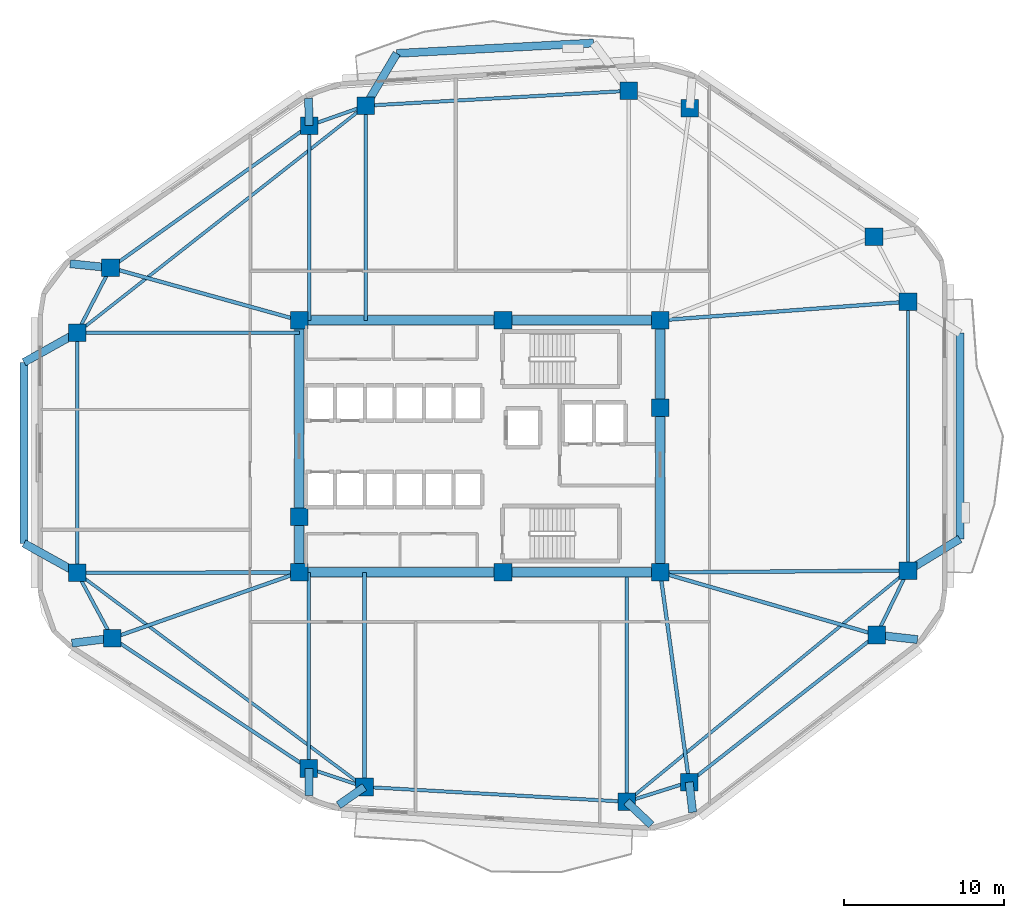
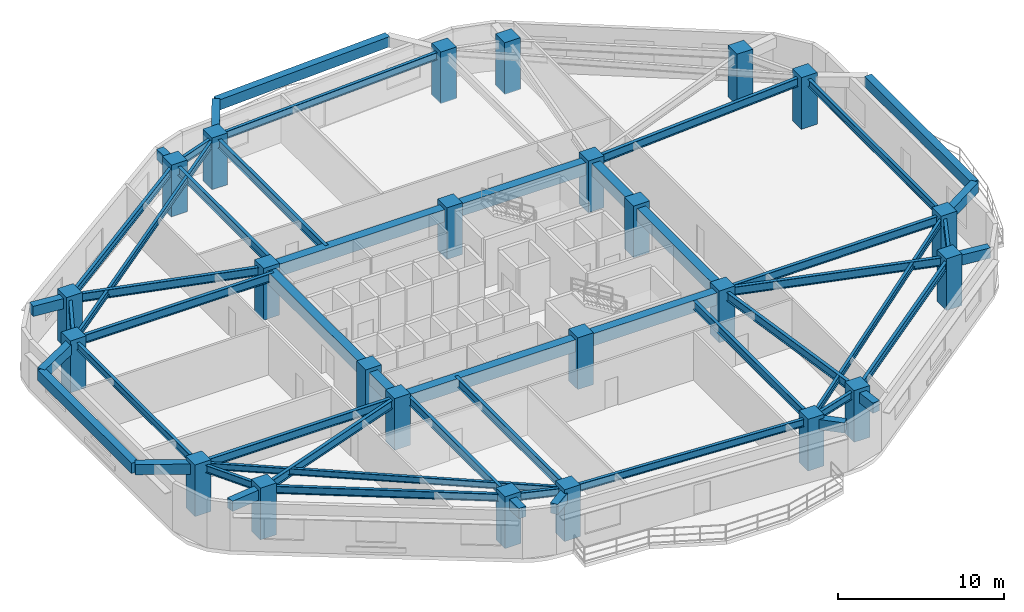
# One storey, part 1 of 8: 52 beams, 24 columns.
"""IFC4 building model written with IfcOpenShell, lengths in metres."""

from ifc_helpers import new_model, si_unit, direction, frame, origin, origin_2d, place, context, subcontext, project, spatial, rectangle, i_section, extrude, material, material_profile, profile_set, type_object, element, save


model = new_model("IFC4")

# Units and contexts
model_context = context("Model", 3, precision=1e-05, world=origin(), true_north=direction((0.0, 1.0)))
body_context = subcontext(model_context, "Body", "Model", "MODEL_VIEW")
ifc_project = project(units=[si_unit("LENGTHUNIT", "METRE"), si_unit("AREAUNIT", "SQUARE_METRE"), si_unit("VOLUMEUNIT", "CUBIC_METRE"), si_unit("PLANEANGLEUNIT", "RADIAN"), si_unit("MASSUNIT", "GRAM", prefix="KILO")], contexts=[model_context])

# Site, building, storey
site_placement = place(None, origin())
site = spatial("IfcSite", under=ifc_project, at=site_placement, CompositionType="ELEMENT")
building_placement = place(site_placement, origin())
building = spatial("IfcBuilding", under=site, at=building_placement, Name="Zulverin Broadcast Headquarters", CompositionType="ELEMENT")
storey_placement = place(building_placement, frame((0.0, 0.0, 89.60009765625)))
storey = spatial("IfcBuildingStorey", under=building, at=storey_placement, Name="L22", CompositionType="ELEMENT", Elevation=89.60009765625)

# Columns
ifc_material_1 = material(Name="Concrete C60/75", Category="concrete")
ifc_material_profile_1 = material_profile(ifc_material_1, rectangle(XDim=1.10009765625, YDim=1.10009765625, at=origin_2d()), Name="Concrete C60/75", Category="concrete")
ifc_profile_set_1 = profile_set([ifc_material_profile_1], Name="Concrete C60/75")
column_type_1 = type_object("IfcColumnType", Name="COL-RC-1100", PredefinedType="COLUMN", material=ifc_profile_set_1)
for number, where, z_axis, x_axis, name in (
    (1, (29.79638671875, 3.922119140625, 0.0), (0.0, 0.0, 1.0), (1.0, 0.0, 0.0), "L22 Perimeter Column T01"),
    (2, (46.175048828125, 2.997802734375, 0.0), (0.0, 0.0, 1.0), (1.0, 0.0, 0.0), "L22 Perimeter Column T02"),
    (3, (50.08056640625, 4.22509765625, 0.0), (0.0, 0.0, 1.0), (1.0, 0.0, 0.0), "L22 Perimeter Column T03"),
    (4, (61.79296875, 13.416259765625, 0.0), (0.0, 0.0, 1.0), (1.0, 0.0, 0.0), "L22 Perimeter Column T04"),
    (5, (63.75, 17.439697265625, 0.0), (0.0, 0.0, 1.0), (1.0, 0.0, 0.0), "L22 Perimeter Column T05"),
    (6, (63.75, 34.235107421875, 0.0), (0.0, 0.0, 1.0), (1.0, 0.0, 0.0), "L22 Perimeter Column T06"),
    (7, (61.630126953125, 38.298583984375, 0.0), (0.0, 0.0, 1.0), (1.0, 0.0, 0.0), "L22 Perimeter Column T07"),
    (8, (50.121826171875, 46.325927734375, 0.0), (0.0, 0.0, 1.0), (1.0, 0.0, 0.0), "L22 Perimeter Column T08"),
    (9, (46.30224609375, 47.4091796875, 0.0), (0.0, 0.0, 1.0), (1.0, 0.0, 0.0), "L22 Perimeter Column T09"),
    (10, (29.873779296875, 46.482177734375, 0.0), (0.0, 0.0, 1.0), (1.0, 0.0, 0.0), "L22 Perimeter Column T10"),
    (11, (26.344482421875, 45.23828125, 0.0), (0.0, 0.0, 1.0), (1.0, 0.0, 0.0), "L22 Perimeter Column T11"),
    (12, (13.934326171875, 36.353759765625, 0.0), (0.0, 0.0, 1.0), (1.0, 0.0, 0.0), "L22 Perimeter Column T12"),
    (13, (11.85009765625, 32.298095703125, 0.0), (0.0, 0.0, 1.0), (1.0, 0.0, 0.0), "L22 Perimeter Column T13"),
    (14, (11.85009765625, 17.297607421875, 0.0), (0.0, 0.0, 1.0), (1.0, 0.0, 0.0), "L22 Perimeter Column T14"),
    (15, (14.0390625, 13.219970703125, 0.0), (0.0, 0.0, 1.0), (1.0, 0.0, 0.0), "L22 Perimeter Column T15"),
    (16, (26.3251953125, 5.075927734375, 0.0), (0.0, 0.0, 1.0), (1.0, 0.0, 0.0), "L22 Perimeter Column T16"),
):
    element("IfcColumn", number, at=place(storey_placement, frame(where, z_axis=z_axis, x_axis=x_axis)), inside=storey, type_object=column_type_1, Name=name, PredefinedType="COLUMN", context=body_context, shape_type="SweptSolid", body=[
        extrude(rectangle(XDim=1.10009765625, YDim=1.10009765625, at=origin_2d()), origin(), (0.0, 0.0, 1.0), 3.7998046875),
    ])
ifc_material_profile_2 = material_profile(ifc_material_1, rectangle(XDim=1.10009765625, YDim=1.10009765625, at=origin_2d()), Name="Concrete C60/75", Category="concrete")
ifc_profile_set_2 = profile_set([ifc_material_profile_2], Name="Concrete C60/75")
column_type_2 = type_object("IfcColumnType", Name="PIL-RC-1100", PredefinedType="PILASTER", material=ifc_profile_set_2)
for number, where, z_axis, x_axis, name in (
    (17, (25.72509765625, 17.324951171875, 0.0), (0.0, 0.0, 1.0), (1.0, 0.0, 0.0), "L22 Core Pilaster K01"),
    (18, (38.449951171875, 17.324951171875, 0.0), (0.0, 0.0, 1.0), (1.0, 0.0, 0.0), "L22 Core Pilaster K02"),
    (19, (48.27490234375, 17.324951171875, 0.0), (0.0, 0.0, 1.0), (1.0, 0.0, 0.0), "L22 Core Pilaster K03"),
    (20, (48.27490234375, 27.6201171875, 0.0), (0.0, 0.0, 1.0), (1.0, 0.0, 0.0), "L22 Core Pilaster K04"),
    (21, (48.27490234375, 33.074951171875, 0.0), (0.0, 0.0, 1.0), (1.0, 0.0, 0.0), "L22 Core Pilaster K05"),
    (22, (38.449951171875, 33.074951171875, 0.0), (0.0, 0.0, 1.0), (1.0, 0.0, 0.0), "L22 Core Pilaster K06"),
    (23, (25.72509765625, 33.074951171875, 0.0), (0.0, 0.0, 1.0), (1.0, 0.0, 0.0), "L22 Core Pilaster K07"),
    (24, (25.72509765625, 20.800048828125, 0.0), (0.0, 0.0, 1.0), (1.0, 0.0, 0.0), "L22 Core Pilaster K08"),
):
    element("IfcColumn", number, at=place(storey_placement, frame(where, z_axis=z_axis, x_axis=x_axis)), inside=storey, type_object=column_type_2, Name=name, PredefinedType="PILASTER", context=body_context, shape_type="SweptSolid", body=[
        extrude(rectangle(XDim=1.10009765625, YDim=1.10009765625, at=origin_2d()), origin(), (0.0, 0.0, 1.0), 3.7998046875),
    ])

# Beams
ifc_material_profile_3 = material_profile(ifc_material_1, rectangle(XDim=0.60009765625, YDim=0.89990234375, at=origin_2d()), Name="Concrete C60/75", Category="concrete")
ifc_profile_set_3 = profile_set([ifc_material_profile_3], Name="Concrete C60/75")
beam_type_1 = type_object("IfcBeamType", Name="BM-CB-600x900", PredefinedType="LINTEL", material=ifc_profile_set_3)
beam_1_placement = place(storey_placement, frame((25.72509765625, 17.324951171875, 3.074951171875), z_axis=(1.0, 0.0, 0.0), x_axis=(0.0, 1.0, 0.0)))
element("IfcBeam", 25, at=beam_1_placement, inside=storey, type_object=beam_type_1, Name="L22 Core Coupling Girder K01-K02", PredefinedType="LINTEL", context=body_context, shape_type="SweptSolid", body=[
    extrude(rectangle(XDim=0.60009765625, YDim=0.89990234375, at=origin_2d()), origin(), (0.0, 0.0, 1.0), 12.724853515625),
])
beam_2_placement = place(storey_placement, frame((38.449951171875, 17.324951171875, 3.074951171875), z_axis=(1.0, 0.0, 0.0), x_axis=(0.0, 1.0, 0.0)))
element("IfcBeam", 26, at=beam_2_placement, inside=storey, type_object=beam_type_1, Name="L22 Core Coupling Girder K02-K03", PredefinedType="LINTEL", context=body_context, shape_type="SweptSolid", body=[
    extrude(rectangle(XDim=0.60009765625, YDim=0.89990234375, at=origin_2d()), origin(), (0.0, 0.0, 1.0), 9.824951171875),
])
beam_3_placement = place(storey_placement, frame((48.27490234375, 17.324951171875, 3.074951171875), z_axis=(0.0, 1.0, 0.0), x_axis=(-1.0, 0.0, 0.0)))
element("IfcBeam", 27, at=beam_3_placement, inside=storey, type_object=beam_type_1, Name="L22 Core Coupling Girder K03-K04", PredefinedType="LINTEL", context=body_context, shape_type="SweptSolid", body=[
    extrude(rectangle(XDim=0.60009765625, YDim=0.89990234375, at=origin_2d()), origin(), (0.0, 0.0, 1.0), 10.295166015625),
])
beam_4_placement = place(storey_placement, frame((48.27490234375, 27.6201171875, 3.074951171875), z_axis=(0.0, 1.0, 0.0), x_axis=(-1.0, 0.0, 0.0)))
element("IfcBeam", 28, at=beam_4_placement, inside=storey, type_object=beam_type_1, Name="L22 Core Coupling Girder K04-K05", PredefinedType="LINTEL", context=body_context, shape_type="SweptSolid", body=[
    extrude(rectangle(XDim=0.60009765625, YDim=0.89990234375, at=origin_2d()), origin(), (0.0, 0.0, 1.0), 5.454833984375),
])
beam_5_placement = place(storey_placement, frame((48.27490234375, 33.074951171875, 3.074951171875), z_axis=(-1.0, 0.0, 0.0), x_axis=(0.0, -1.0, 0.0)))
element("IfcBeam", 29, at=beam_5_placement, inside=storey, type_object=beam_type_1, Name="L22 Core Coupling Girder K05-K06", PredefinedType="LINTEL", context=body_context, shape_type="SweptSolid", body=[
    extrude(rectangle(XDim=0.60009765625, YDim=0.89990234375, at=origin_2d()), origin(), (0.0, 0.0, 1.0), 9.824951171875),
])
beam_6_placement = place(storey_placement, frame((38.449951171875, 33.074951171875, 3.074951171875), z_axis=(-1.0, 0.0, 0.0), x_axis=(0.0, -1.0, 0.0)))
element("IfcBeam", 30, at=beam_6_placement, inside=storey, type_object=beam_type_1, Name="L22 Core Coupling Girder K06-K07", PredefinedType="LINTEL", context=body_context, shape_type="SweptSolid", body=[
    extrude(rectangle(XDim=0.60009765625, YDim=0.89990234375, at=origin_2d()), origin(), (0.0, 0.0, 1.0), 12.724853515625),
])
beam_7_placement = place(storey_placement, frame((25.72509765625, 33.074951171875, 3.074951171875), z_axis=(0.0, -1.0, 0.0), x_axis=(1.0, 0.0, 0.0)))
element("IfcBeam", 31, at=beam_7_placement, inside=storey, type_object=beam_type_1, Name="L22 Core Coupling Girder K07-K08", PredefinedType="LINTEL", context=body_context, shape_type="SweptSolid", body=[
    extrude(rectangle(XDim=0.60009765625, YDim=0.89990234375, at=origin_2d()), origin(), (0.0, 0.0, 1.0), 12.27490234375),
])
beam_8_placement = place(storey_placement, frame((25.72509765625, 20.800048828125, 3.074951171875), z_axis=(0.0, -1.0, 0.0), x_axis=(1.0, 0.0, 0.0)))
element("IfcBeam", 32, at=beam_8_placement, inside=storey, type_object=beam_type_1, Name="L22 Core Coupling Girder K08-K01", PredefinedType="LINTEL", context=body_context, shape_type="SweptSolid", body=[
    extrude(rectangle(XDim=0.60009765625, YDim=0.89990234375, at=origin_2d()), origin(), (0.0, 0.0, 1.0), 3.47509765625),
])
ifc_material_2 = material(Name="Concrete C40/50", Category="concrete")
ifc_material_profile_4 = material_profile(ifc_material_2, rectangle(XDim=0.5, YDim=0.75, at=origin_2d()), Name="Concrete C40/50", Category="concrete")
ifc_profile_set_4 = profile_set([ifc_material_profile_4], Name="Concrete C40/50")
beam_type_2 = type_object("IfcBeamType", Name="BM-RC-500x750", PredefinedType="BEAM", material=ifc_profile_set_4)
beam_9_placement = place(storey_placement, frame((29.79638671875, 3.922119140625, 3.14990234375), z_axis=(-0.817789251944, -0.575517801119, 0.0), x_axis=(0.575517801119, -0.817789251944, 0.0)))
element("IfcBeam", 33, at=beam_9_placement, inside=storey, type_object=beam_type_2, Name="L23 Plate Overhang Back-Spanned Beam OVR-01", PredefinedType="BEAM", context=body_context, shape_type="SweptSolid", body=[
    extrude(rectangle(XDim=0.5, YDim=0.75, at=origin_2d()), origin(), (0.0, 0.0, 1.0), 1.983154296875),
])
beam_10_placement = place(storey_placement, frame((46.175048828125, 2.997802734375, 3.14990234375), z_axis=(0.727711332613, -0.685883529754, 0.0), x_axis=(0.685883529754, 0.727711332613, 0.0)))
element("IfcBeam", 34, at=beam_10_placement, inside=storey, type_object=beam_type_2, Name="L23 Plate Overhang Back-Spanned Beam OVR-02", PredefinedType="BEAM", context=body_context, shape_type="SweptSolid", body=[
    extrude(rectangle(XDim=0.5, YDim=0.75, at=origin_2d()), origin(), (0.0, 0.0, 1.0), 2.113037109375),
])
beam_11_placement = place(storey_placement, frame((50.08056640625, 4.22509765625, 3.14990234375), z_axis=(0.115916621896, -0.99325894749, 0.0), x_axis=(0.99325894749, 0.115916621896, 0.0)))
element("IfcBeam", 35, at=beam_11_placement, inside=storey, type_object=beam_type_2, Name="L23 Plate Overhang Back-Spanned Beam OVR-03", PredefinedType="BEAM", context=body_context, shape_type="SweptSolid", body=[
    extrude(rectangle(XDim=0.5, YDim=0.75, at=origin_2d()), origin(), (0.0, 0.0, 1.0), 1.899658203125),
])
beam_12_placement = place(storey_placement, frame((61.79296875, 13.416259765625, 3.14990234375), z_axis=(0.993797661948, -0.111203449166, 0.0), x_axis=(0.111203449166, 0.993797661948, 0.0)))
element("IfcBeam", 36, at=beam_12_placement, inside=storey, type_object=beam_type_2, Name="L23 Plate Overhang Back-Spanned Beam OVR-04", PredefinedType="BEAM", context=body_context, shape_type="SweptSolid", body=[
    extrude(rectangle(XDim=0.5, YDim=0.75, at=origin_2d()), origin(), (0.0, 0.0, 1.0), 2.568603515625),
])
beam_13_placement = place(storey_placement, frame((26.344482421875, 45.23828125, 3.14990234375), z_axis=(-0.025024345209, 0.999686842039, 0.0), x_axis=(-0.999686842039, -0.025024345209, 0.0)))
element("IfcBeam", 37, at=beam_13_placement, inside=storey, type_object=beam_type_2, Name="L23 Plate Overhang Back-Spanned Beam OVR-11", PredefinedType="BEAM", context=body_context, shape_type="SweptSolid", body=[
    extrude(rectangle(XDim=0.5, YDim=0.75, at=origin_2d()), origin(), (0.0, 0.0, 1.0), 1.707275390625),
])
beam_14_placement = place(storey_placement, frame((13.934326171875, 36.353759765625, 3.14990234375), z_axis=(-0.995008621602, 0.09978899207, 0.0), x_axis=(-0.09978899207, -0.995008621602, 0.0)))
element("IfcBeam", 38, at=beam_14_placement, inside=storey, type_object=beam_type_2, Name="L23 Plate Overhang Back-Spanned Beam OVR-12", PredefinedType="BEAM", context=body_context, shape_type="SweptSolid", body=[
    extrude(rectangle(XDim=0.5, YDim=0.75, at=origin_2d()), origin(), (0.0, 0.0, 1.0), 2.5419921875),
])
beam_15_placement = place(storey_placement, frame((14.0390625, 13.219970703125, 3.14990234375), z_axis=(-0.992258640565, -0.124188526941, 0.0), x_axis=(0.124188526941, -0.992258640565, 0.0)))
element("IfcBeam", 39, at=beam_15_placement, inside=storey, type_object=beam_type_2, Name="L23 Plate Overhang Back-Spanned Beam OVR-15", PredefinedType="BEAM", context=body_context, shape_type="SweptSolid", body=[
    extrude(rectangle(XDim=0.5, YDim=0.75, at=origin_2d()), origin(), (0.0, 0.0, 1.0), 2.5400390625),
])
beam_16_placement = place(storey_placement, frame((26.3251953125, 5.075927734375, 3.14990234375), z_axis=(0.006204786761, -0.999980750125, 0.0), x_axis=(0.999980750125, 0.006204786761, 0.0)))
element("IfcBeam", 40, at=beam_16_placement, inside=storey, type_object=beam_type_2, Name="L23 Plate Overhang Back-Spanned Beam OVR-16", PredefinedType="BEAM", context=body_context, shape_type="SweptSolid", body=[
    extrude(rectangle(XDim=0.5, YDim=0.75, at=origin_2d()), origin(), (0.0, 0.0, 1.0), 1.69189453125),
])
beam_17_placement = place(storey_placement, frame((63.75, 17.439697265625, 3.14990234375), z_axis=(0.853769010652, 0.520651972483, 0.0), x_axis=(-0.520651972483, 0.853769010652, 0.0)))
element("IfcBeam", 41, at=beam_17_placement, inside=storey, type_object=beam_type_2, Name="L23 Balcony Column-Framed Cantilever BAL_E-1", PredefinedType="BEAM", context=body_context, shape_type="SweptSolid", body=[
    extrude(rectangle(XDim=0.5, YDim=0.75, at=origin_2d()), origin(), (0.0, 0.0, 1.0), 3.800048828125),
])
beam_18_placement = place(storey_placement, frame((66.994384765625, 19.418212890625, 3.14990234375), z_axis=(0.000531985561, 0.999999858496, 0.0), x_axis=(-0.999999858496, 0.000531985561, 0.0)))
element("IfcBeam", 42, at=beam_18_placement, inside=storey, type_object=beam_type_2, Name="L23 Balcony Outer Edge Trimmer Beam BAL_E", PredefinedType="BEAM", context=body_context, shape_type="SweptSolid", body=[
    extrude(rectangle(XDim=0.5, YDim=0.75, at=origin_2d()), origin(), (0.0, 0.0, 1.0), 12.849853515625),
])
beam_19_placement = place(storey_placement, frame((29.873779296875, 46.482177734375, 3.14990234375), z_axis=(0.511024077234, 0.859566397952, 0.0), x_axis=(-0.859566397952, 0.511024077234, 0.0)))
element("IfcBeam", 43, at=beam_19_placement, inside=storey, type_object=beam_type_2, Name="L23 Balcony Column-Framed Cantilever BAL_N-2", PredefinedType="BEAM", context=body_context, shape_type="SweptSolid", body=[
    extrude(rectangle(XDim=0.5, YDim=0.75, at=origin_2d()), origin(), (0.0, 0.0, 1.0), 3.800048828125),
])
beam_20_placement = place(storey_placement, frame((44.101806640625, 50.397216796875, 3.14990234375), z_axis=(-0.998609099768, -0.052724433234, 0.0), x_axis=(0.052724433234, -0.998609099768, 0.0)))
element("IfcBeam", 44, at=beam_20_placement, inside=storey, type_object=beam_type_2, Name="L23 Balcony Outer Edge Trimmer Beam BAL_N", PredefinedType="BEAM", context=body_context, shape_type="SweptSolid", body=[
    extrude(rectangle(XDim=0.5, YDim=0.75, at=origin_2d()), origin(), (0.0, 0.0, 1.0), 12.30322265625),
])
beam_21_placement = place(storey_placement, frame((11.85009765625, 32.298095703125, 3.14990234375), z_axis=(-0.873763019306, -0.486351915893, 0.0), x_axis=(0.486351915893, -0.873763019306, 0.0)))
element("IfcBeam", 45, at=beam_21_placement, inside=storey, type_object=beam_type_2, Name="L23 Balcony Column-Framed Cantilever BAL_W-1", PredefinedType="BEAM", context=body_context, shape_type="SweptSolid", body=[
    extrude(rectangle(XDim=0.5, YDim=0.75, at=origin_2d()), origin(), (0.0, 0.0, 1.0), 3.800048828125),
])
beam_22_placement = place(storey_placement, frame((11.85009765625, 17.297607421875, 3.14990234375), z_axis=(-0.874363278793, 0.485271940975, 0.0), x_axis=(-0.485271940975, -0.874363278793, 0.0)))
element("IfcBeam", 46, at=beam_22_placement, inside=storey, type_object=beam_type_2, Name="L23 Balcony Column-Framed Cantilever BAL_W-2", PredefinedType="BEAM", context=body_context, shape_type="SweptSolid", body=[
    extrude(rectangle(XDim=0.5, YDim=0.75, at=origin_2d()), origin(), (0.0, 0.0, 1.0), 3.7998046875),
])
beam_23_placement = place(storey_placement, frame((8.52978515625, 30.449951171875, 3.14990234375), z_axis=(-0.000194304709, -0.999999981123, 0.0), x_axis=(0.999999981123, -0.000194304709, 0.0)))
element("IfcBeam", 47, at=beam_23_placement, inside=storey, type_object=beam_type_2, Name="L23 Balcony Outer Edge Trimmer Beam BAL_W", PredefinedType="BEAM", context=body_context, shape_type="SweptSolid", body=[
    extrude(rectangle(XDim=0.5, YDim=0.75, at=origin_2d()), origin(), (0.0, 0.0, 1.0), 11.308349609375),
])
ifc_material_3 = material(Name="Structural steel S355JR", Category="steel")
ifc_material_profile_5 = material_profile(ifc_material_3, i_section(OverallWidth=0.19287109375, OverallDepth=0.46728515625, WebThickness=0.011474609375, FlangeThickness=0.01953125, at=origin_2d()), Name="Structural steel S355JR", Category="steel")
ifc_profile_set_5 = profile_set([ifc_material_profile_5], Name="Structural steel S355JR")
beam_type_3 = type_object("IfcBeamType", Name="BM-UB-457", PredefinedType="JOIST", material=ifc_profile_set_5)
beam_24_placement = place(storey_placement, frame((46.175048828125, 2.997802734375, 3.291259765625), z_axis=(0.772611370623, 0.634879256224, 0.0), x_axis=(-0.634879256224, 0.772611370623, 0.0)))
element("IfcBeam", 48, at=beam_24_placement, inside=storey, type_object=beam_type_3, Name="L22 Chordal Floor Joist J-01", PredefinedType="JOIST", context=body_context, shape_type="SweptSolid", body=[
    extrude(i_section(OverallWidth=0.19287109375, OverallDepth=0.46728515625, WebThickness=0.011474609375, FlangeThickness=0.01953125, at=origin_2d()), origin(), (0.0, 0.0, 1.0), 22.74755859375),
])
beam_25_placement = place(storey_placement, frame((29.873779296875, 46.482177734375, 3.291259765625), z_axis=(-0.78583902739, -0.618431098047, 0.0), x_axis=(0.618431098047, -0.78583902739, 0.0)))
element("IfcBeam", 49, at=beam_25_placement, inside=storey, type_object=beam_type_3, Name="L22 Chordal Floor Joist J-03", PredefinedType="JOIST", context=body_context, shape_type="SweptSolid", body=[
    extrude(i_section(OverallWidth=0.19287109375, OverallDepth=0.46728515625, WebThickness=0.011474609375, FlangeThickness=0.01953125, at=origin_2d()), origin(), (0.0, 0.0, 1.0), 22.935546875),
])
beam_26_placement = place(storey_placement, frame((11.85009765625, 17.297607421875, 3.291259765625), z_axis=(0.801802688634, -0.59758886243, 0.0), x_axis=(0.59758886243, 0.801802688634, 0.0)))
element("IfcBeam", 50, at=beam_26_placement, inside=storey, type_object=beam_type_3, Name="L22 Chordal Floor Joist J-04", PredefinedType="JOIST", context=body_context, shape_type="SweptSolid", body=[
    extrude(i_section(OverallWidth=0.19287109375, OverallDepth=0.46728515625, WebThickness=0.011474609375, FlangeThickness=0.01953125, at=origin_2d()), origin(), (0.0, 0.0, 1.0), 22.38232421875),
])
ifc_material_profile_6 = material_profile(ifc_material_3, i_section(OverallWidth=0.2119140625, OverallDepth=0.54443359375, WebThickness=0.0126953125, FlangeThickness=0.021240234375, at=origin_2d()), Name="Structural steel S355JR", Category="steel")
ifc_profile_set_6 = profile_set([ifc_material_profile_6], Name="Structural steel S355JR")
beam_type_4 = type_object("IfcBeamType", Name="BM-UB-533", PredefinedType="SPANDREL", material=ifc_profile_set_6)
beam_27_placement = place(storey_placement, frame((29.79638671875, 3.922119140625, 3.252685546875), z_axis=(0.998411385104, -0.056344530297, 0.0), x_axis=(0.056344530297, 0.998411385104, 0.0)))
element("IfcBeam", 51, at=beam_27_placement, inside=storey, type_object=beam_type_4, Name="L22 Perimeter Spandrel Beam SP-01", PredefinedType="SPANDREL", context=body_context, shape_type="SweptSolid", body=[
    extrude(i_section(OverallWidth=0.2119140625, OverallDepth=0.54443359375, WebThickness=0.0126953125, FlangeThickness=0.021240234375, at=origin_2d()), origin(), (0.0, 0.0, 1.0), 16.40478515625),
])
beam_28_placement = place(storey_placement, frame((46.175048828125, 2.997802734375, 3.252685546875), z_axis=(0.954004438448, 0.299792480595, 0.0), x_axis=(-0.299792480595, 0.954004438448, 0.0)))
element("IfcBeam", 52, at=beam_28_placement, inside=storey, type_object=beam_type_4, Name="L22 Perimeter Spandrel Beam SP-02", PredefinedType="SPANDREL", context=body_context, shape_type="SweptSolid", body=[
    extrude(i_section(OverallWidth=0.2119140625, OverallDepth=0.54443359375, WebThickness=0.0126953125, FlangeThickness=0.021240234375, at=origin_2d()), origin(), (0.0, 0.0, 1.0), 4.09375),
])
beam_29_placement = place(storey_placement, frame((50.08056640625, 4.22509765625, 3.252685546875), z_axis=(0.786691476208, 0.617346354376, 0.0), x_axis=(-0.617346354376, 0.786691476208, 0.0)))
element("IfcBeam", 53, at=beam_29_placement, inside=storey, type_object=beam_type_4, Name="L22 Perimeter Spandrel Beam SP-03", PredefinedType="SPANDREL", context=body_context, shape_type="SweptSolid", body=[
    extrude(i_section(OverallWidth=0.2119140625, OverallDepth=0.54443359375, WebThickness=0.0126953125, FlangeThickness=0.021240234375, at=origin_2d()), origin(), (0.0, 0.0, 1.0), 14.88818359375),
])
beam_30_placement = place(storey_placement, frame((61.79296875, 13.416259765625, 3.252685546875), z_axis=(0.437408475872, 0.899262934428, 0.0), x_axis=(-0.899262934428, 0.437408475872, 0.0)))
element("IfcBeam", 54, at=beam_30_placement, inside=storey, type_object=beam_type_4, Name="L22 Perimeter Spandrel Beam SP-04", PredefinedType="SPANDREL", context=body_context, shape_type="SweptSolid", body=[
    extrude(i_section(OverallWidth=0.2119140625, OverallDepth=0.54443359375, WebThickness=0.0126953125, FlangeThickness=0.021240234375, at=origin_2d()), origin(), (0.0, 0.0, 1.0), 4.47412109375),
])
beam_31_placement = place(storey_placement, frame((63.75, 17.439697265625, 3.252685546875), z_axis=(0.0, 1.0, 0.0), x_axis=(-1.0, 0.0, 0.0)))
element("IfcBeam", 55, at=beam_31_placement, inside=storey, type_object=beam_type_4, Name="L22 Perimeter Spandrel Beam SP-05", PredefinedType="SPANDREL", context=body_context, shape_type="SweptSolid", body=[
    extrude(i_section(OverallWidth=0.2119140625, OverallDepth=0.54443359375, WebThickness=0.0126953125, FlangeThickness=0.021240234375, at=origin_2d()), origin(), (0.0, 0.0, 1.0), 16.79541015625),
])
beam_32_placement = place(storey_placement, frame((46.30224609375, 47.4091796875, 3.252685546875), z_axis=(-0.998411812904, -0.056336949274, 0.0), x_axis=(0.056336949274, -0.998411812904, 0.0)))
element("IfcBeam", 56, at=beam_32_placement, inside=storey, type_object=beam_type_4, Name="L22 Perimeter Spandrel Beam SP-09", PredefinedType="SPANDREL", context=body_context, shape_type="SweptSolid", body=[
    extrude(i_section(OverallWidth=0.2119140625, OverallDepth=0.54443359375, WebThickness=0.0126953125, FlangeThickness=0.021240234375, at=origin_2d()), origin(), (0.0, 0.0, 1.0), 16.45458984375),
])
beam_33_placement = place(storey_placement, frame((29.873779296875, 46.482177734375, 3.252685546875), z_axis=(-0.943135983398, -0.332407155189, 0.0), x_axis=(0.332407155189, -0.943135983398, 0.0)))
element("IfcBeam", 57, at=beam_33_placement, inside=storey, type_object=beam_type_4, Name="L22 Perimeter Spandrel Beam SP-10", PredefinedType="SPANDREL", context=body_context, shape_type="SweptSolid", body=[
    extrude(i_section(OverallWidth=0.2119140625, OverallDepth=0.54443359375, WebThickness=0.0126953125, FlangeThickness=0.021240234375, at=origin_2d()), origin(), (0.0, 0.0, 1.0), 3.7421875),
])
beam_34_placement = place(storey_placement, frame((26.344482421875, 45.23828125, 3.252685546875), z_axis=(-0.813109374453, -0.582110938891, 0.0), x_axis=(0.582110938891, -0.813109374453, 0.0)))
element("IfcBeam", 58, at=beam_34_placement, inside=storey, type_object=beam_type_4, Name="L22 Perimeter Spandrel Beam SP-11", PredefinedType="SPANDREL", context=body_context, shape_type="SweptSolid", body=[
    extrude(i_section(OverallWidth=0.2119140625, OverallDepth=0.54443359375, WebThickness=0.0126953125, FlangeThickness=0.021240234375, at=origin_2d()), origin(), (0.0, 0.0, 1.0), 15.2626953125),
])
beam_35_placement = place(storey_placement, frame((13.934326171875, 36.353759765625, 3.252685546875), z_axis=(-0.457080631948, -0.889425261558, 0.0), x_axis=(0.889425261558, -0.457080631948, 0.0)))
element("IfcBeam", 59, at=beam_35_placement, inside=storey, type_object=beam_type_4, Name="L22 Perimeter Spandrel Beam SP-12", PredefinedType="SPANDREL", context=body_context, shape_type="SweptSolid", body=[
    extrude(i_section(OverallWidth=0.2119140625, OverallDepth=0.54443359375, WebThickness=0.0126953125, FlangeThickness=0.021240234375, at=origin_2d()), origin(), (0.0, 0.0, 1.0), 4.559814453125),
])
beam_36_placement = place(storey_placement, frame((11.85009765625, 32.298095703125, 3.252685546875), z_axis=(0.0, -1.0, 0.0), x_axis=(1.0, 0.0, 0.0)))
element("IfcBeam", 60, at=beam_36_placement, inside=storey, type_object=beam_type_4, Name="L22 Perimeter Spandrel Beam SP-13", PredefinedType="SPANDREL", context=body_context, shape_type="SweptSolid", body=[
    extrude(i_section(OverallWidth=0.2119140625, OverallDepth=0.54443359375, WebThickness=0.0126953125, FlangeThickness=0.021240234375, at=origin_2d()), origin(), (0.0, 0.0, 1.0), 15.00048828125),
])
beam_37_placement = place(storey_placement, frame((11.85009765625, 17.297607421875, 3.252685546875), z_axis=(0.472979536362, -0.881073412482, 0.0), x_axis=(0.881073412482, 0.472979536362, 0.0)))
element("IfcBeam", 61, at=beam_37_placement, inside=storey, type_object=beam_type_4, Name="L22 Perimeter Spandrel Beam SP-14", PredefinedType="SPANDREL", context=body_context, shape_type="SweptSolid", body=[
    extrude(i_section(OverallWidth=0.2119140625, OverallDepth=0.54443359375, WebThickness=0.0126953125, FlangeThickness=0.021240234375, at=origin_2d()), origin(), (0.0, 0.0, 1.0), 4.6279296875),
])
beam_38_placement = place(storey_placement, frame((14.0390625, 13.219970703125, 3.252685546875), z_axis=(0.833510030956, -0.552504324232, 0.0), x_axis=(0.552504324232, 0.833510030956, 0.0)))
element("IfcBeam", 62, at=beam_38_placement, inside=storey, type_object=beam_type_4, Name="L22 Perimeter Spandrel Beam SP-15", PredefinedType="SPANDREL", context=body_context, shape_type="SweptSolid", body=[
    extrude(i_section(OverallWidth=0.2119140625, OverallDepth=0.54443359375, WebThickness=0.0126953125, FlangeThickness=0.021240234375, at=origin_2d()), origin(), (0.0, 0.0, 1.0), 14.740234375),
])
beam_39_placement = place(storey_placement, frame((26.3251953125, 5.075927734375, 3.252685546875), z_axis=(0.948949931395, -0.315426739047, 0.0), x_axis=(0.315426739047, 0.948949931395, 0.0)))
element("IfcBeam", 63, at=beam_39_placement, inside=storey, type_object=beam_type_4, Name="L22 Perimeter Spandrel Beam SP-16", PredefinedType="SPANDREL", context=body_context, shape_type="SweptSolid", body=[
    extrude(i_section(OverallWidth=0.2119140625, OverallDepth=0.54443359375, WebThickness=0.0126953125, FlangeThickness=0.021240234375, at=origin_2d()), origin(), (0.0, 0.0, 1.0), 3.657958984375),
])
ifc_material_profile_7 = material_profile(ifc_material_3, i_section(OverallWidth=0.230224609375, OverallDepth=0.6171875, WebThickness=0.01318359375, FlangeThickness=0.022216796875, at=origin_2d()), Name="Structural steel S355JR", Category="steel")
ifc_profile_set_7 = profile_set([ifc_material_profile_7], Name="Structural steel S355JR")
beam_type_5 = type_object("IfcBeamType", Name="BM-UB-610", PredefinedType="BEAM", material=ifc_profile_set_7)
beam_40_placement = place(storey_placement, frame((29.79638671875, 17.324951171875, 3.21630859375), z_axis=(0.0, -1.0, 0.0), x_axis=(1.0, 0.0, 0.0)))
element("IfcBeam", 64, at=beam_40_placement, inside=storey, type_object=beam_type_5, Name="L22 Radial Primary Floor Beam RB-01", PredefinedType="BEAM", context=body_context, shape_type="SweptSolid", body=[
    extrude(i_section(OverallWidth=0.230224609375, OverallDepth=0.6171875, WebThickness=0.01318359375, FlangeThickness=0.022216796875, at=origin_2d()), origin(), (0.0, 0.0, 1.0), 13.40283203125),
])
beam_41_placement = place(storey_placement, frame((46.175048828125, 17.324951171875, 3.21630859375), z_axis=(0.0, -1.0, 0.0), x_axis=(1.0, 0.0, 0.0)))
element("IfcBeam", 65, at=beam_41_placement, inside=storey, type_object=beam_type_5, Name="L22 Radial Primary Floor Beam RB-02", PredefinedType="BEAM", context=body_context, shape_type="SweptSolid", body=[
    extrude(i_section(OverallWidth=0.230224609375, OverallDepth=0.6171875, WebThickness=0.01318359375, FlangeThickness=0.022216796875, at=origin_2d()), origin(), (0.0, 0.0, 1.0), 14.3271484375),
])
beam_42_placement = place(storey_placement, frame((48.27490234375, 17.324951171875, 3.21630859375), z_axis=(0.136547433081, -0.990633533916, 0.0), x_axis=(0.990633533916, 0.136547433081, 0.0)))
element("IfcBeam", 66, at=beam_42_placement, inside=storey, type_object=beam_type_5, Name="L22 Radial Primary Floor Beam RB-03", PredefinedType="BEAM", context=body_context, shape_type="SweptSolid", body=[
    extrude(i_section(OverallWidth=0.230224609375, OverallDepth=0.6171875, WebThickness=0.01318359375, FlangeThickness=0.022216796875, at=origin_2d()), origin(), (0.0, 0.0, 1.0), 13.2236328125),
])
beam_43_placement = place(storey_placement, frame((48.27490234375, 17.324951171875, 3.21630859375), z_axis=(0.960648363311, -0.277767388416, 0.0), x_axis=(0.277767388416, 0.960648363311, 0.0)))
element("IfcBeam", 67, at=beam_43_placement, inside=storey, type_object=beam_type_5, Name="L22 Radial Primary Floor Beam RB-04", PredefinedType="BEAM", context=body_context, shape_type="SweptSolid", body=[
    extrude(i_section(OverallWidth=0.230224609375, OverallDepth=0.6171875, WebThickness=0.01318359375, FlangeThickness=0.022216796875, at=origin_2d()), origin(), (0.0, 0.0, 1.0), 14.07177734375),
])
beam_44_placement = place(storey_placement, frame((48.27490234375, 17.324951171875, 3.21630859375), z_axis=(0.999972510862, 0.007414682739, 0.0), x_axis=(-0.007414682739, 0.999972510862, 0.0)))
element("IfcBeam", 68, at=beam_44_placement, inside=storey, type_object=beam_type_5, Name="L22 Radial Primary Floor Beam RB-05", PredefinedType="BEAM", context=body_context, shape_type="SweptSolid", body=[
    extrude(i_section(OverallWidth=0.230224609375, OverallDepth=0.6171875, WebThickness=0.01318359375, FlangeThickness=0.022216796875, at=origin_2d()), origin(), (0.0, 0.0, 1.0), 15.4755859375),
])
beam_45_placement = place(storey_placement, frame((48.27490234375, 33.074951171875, 3.21630859375), z_axis=(0.997201597387, 0.074759442003, 0.0), x_axis=(-0.074759442003, 0.997201597387, 0.0)))
element("IfcBeam", 69, at=beam_45_placement, inside=storey, type_object=beam_type_5, Name="L22 Radial Primary Floor Beam RB-06", PredefinedType="BEAM", context=body_context, shape_type="SweptSolid", body=[
    extrude(i_section(OverallWidth=0.230224609375, OverallDepth=0.6171875, WebThickness=0.01318359375, FlangeThickness=0.022216796875, at=origin_2d()), origin(), (0.0, 0.0, 1.0), 15.5185546875),
])
beam_46_placement = place(storey_placement, frame((29.873779296875, 33.074951171875, 3.21630859375), z_axis=(0.0, 1.0, 0.0), x_axis=(-1.0, 0.0, 0.0)))
element("IfcBeam", 70, at=beam_46_placement, inside=storey, type_object=beam_type_5, Name="L22 Radial Primary Floor Beam RB-10", PredefinedType="BEAM", context=body_context, shape_type="SweptSolid", body=[
    extrude(i_section(OverallWidth=0.230224609375, OverallDepth=0.6171875, WebThickness=0.01318359375, FlangeThickness=0.022216796875, at=origin_2d()), origin(), (0.0, 0.0, 1.0), 13.4072265625),
])
beam_47_placement = place(storey_placement, frame((26.344482421875, 33.074951171875, 3.21630859375), z_axis=(0.0, 1.0, 0.0), x_axis=(-1.0, 0.0, 0.0)))
element("IfcBeam", 71, at=beam_47_placement, inside=storey, type_object=beam_type_5, Name="L22 Radial Primary Floor Beam RB-11", PredefinedType="BEAM", context=body_context, shape_type="SweptSolid", body=[
    extrude(i_section(OverallWidth=0.230224609375, OverallDepth=0.6171875, WebThickness=0.01318359375, FlangeThickness=0.022216796875, at=origin_2d()), origin(), (0.0, 0.0, 1.0), 12.163330078125),
])
beam_48_placement = place(storey_placement, frame((25.72509765625, 33.074951171875, 3.21630859375), z_axis=(-0.963442133037, 0.267916509922, 0.0), x_axis=(-0.267916509922, -0.963442133037, 0.0)))
element("IfcBeam", 72, at=beam_48_placement, inside=storey, type_object=beam_type_5, Name="L22 Radial Primary Floor Beam RB-12", PredefinedType="BEAM", context=body_context, shape_type="SweptSolid", body=[
    extrude(i_section(OverallWidth=0.230224609375, OverallDepth=0.6171875, WebThickness=0.01318359375, FlangeThickness=0.022216796875, at=origin_2d()), origin(), (0.0, 0.0, 1.0), 12.23828125),
])
for number, where, z_axis, x_axis, name in (
    (73, (25.72509765625, 32.298095703125, 3.21630859375), (-1.0, 0.0, 0.0), (0.0, -1.0, 0.0), "L22 Radial Primary Floor Beam RB-13"),
    (74, (25.72509765625, 17.324951171875, 3.21630859375), (-0.999998058136, -0.001970716894, 0.0), (0.001970716894, -0.999998058136, 0.0), "L22 Radial Primary Floor Beam RB-14"),
):
    element("IfcBeam", number, at=place(storey_placement, frame(where, z_axis=z_axis, x_axis=x_axis)), inside=storey, type_object=beam_type_5, Name=name, PredefinedType="BEAM", context=body_context, shape_type="SweptSolid", body=[
        extrude(i_section(OverallWidth=0.230224609375, OverallDepth=0.6171875, WebThickness=0.01318359375, FlangeThickness=0.022216796875, at=origin_2d()), origin(), (0.0, 0.0, 1.0), 13.875),
    ])
beam_49_placement = place(storey_placement, frame((25.72509765625, 17.324951171875, 3.21630859375), z_axis=(-0.943483462345, -0.331419607569, 0.0), x_axis=(0.331419607569, -0.943483462345, 0.0)))
element("IfcBeam", 75, at=beam_49_placement, inside=storey, type_object=beam_type_5, Name="L22 Radial Primary Floor Beam RB-15", PredefinedType="BEAM", context=body_context, shape_type="SweptSolid", body=[
    extrude(i_section(OverallWidth=0.230224609375, OverallDepth=0.6171875, WebThickness=0.01318359375, FlangeThickness=0.022216796875, at=origin_2d()), origin(), (0.0, 0.0, 1.0), 12.385986328125),
])
beam_50_placement = place(storey_placement, frame((26.3251953125, 17.324951171875, 3.21630859375), z_axis=(0.0, -1.0, 0.0), x_axis=(1.0, 0.0, 0.0)))
element("IfcBeam", 76, at=beam_50_placement, inside=storey, type_object=beam_type_5, Name="L22 Radial Primary Floor Beam RB-16", PredefinedType="BEAM", context=body_context, shape_type="SweptSolid", body=[
    extrude(i_section(OverallWidth=0.230224609375, OverallDepth=0.6171875, WebThickness=0.01318359375, FlangeThickness=0.022216796875, at=origin_2d()), origin(), (0.0, 0.0, 1.0), 12.2490234375),
])

save(model, "model.ifc")
